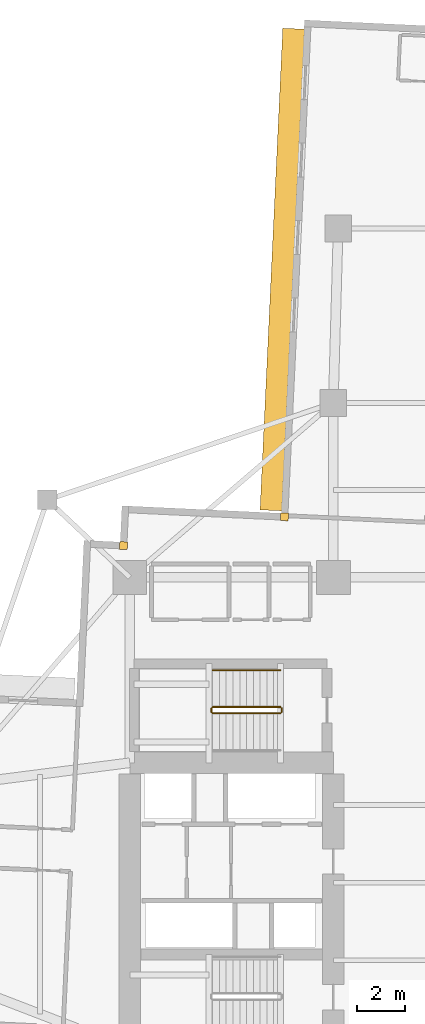
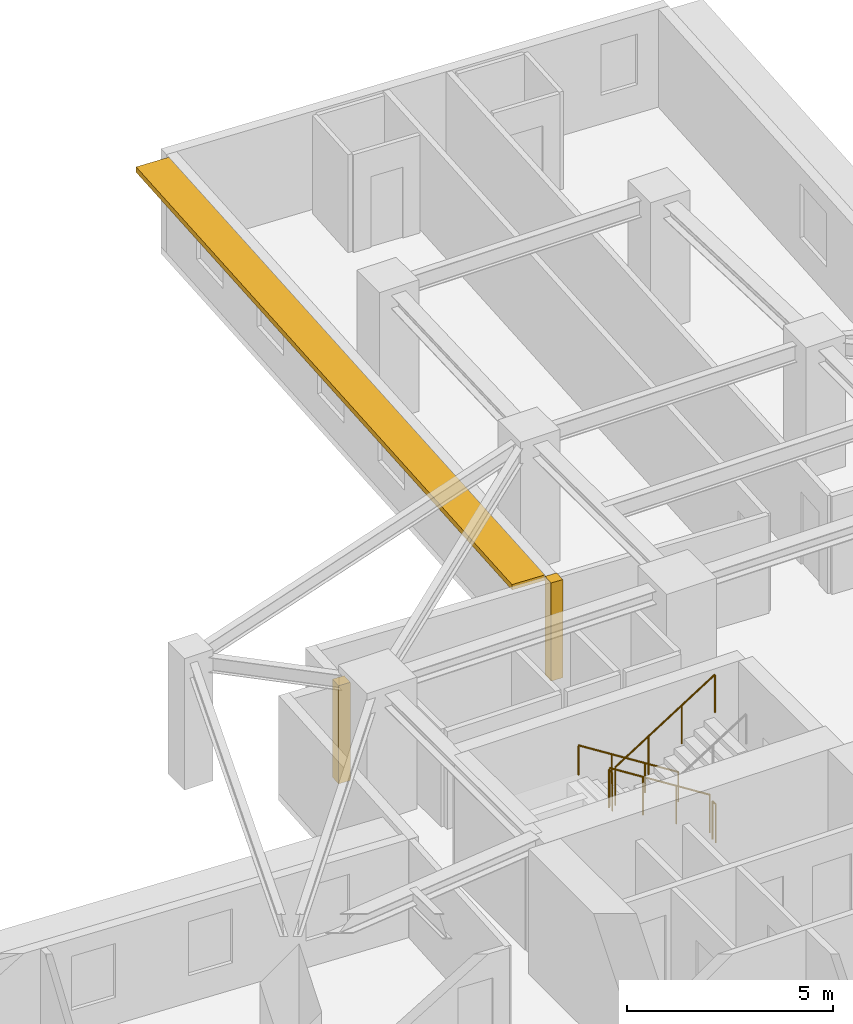
# One storey, part 13 of 14: 5 railings, 2 coverings, 1 shading device.
"""IFC4 building model written with IfcOpenShell, lengths in metres."""

from ifc_helpers import new_model, si_unit, direction, frame, origin, origin_2d, place, context, subcontext, project, spatial, rectangle, circle, extrude, material, layer, layer_set, type_object, element, save


model = new_model("IFC4")

# Units and contexts
model_context = context("Model", 3, precision=1e-05, world=origin(), true_north=direction((0.0, 1.0)))
body_context = subcontext(model_context, "Body", "Model", "MODEL_VIEW")
ifc_project = project(units=[si_unit("LENGTHUNIT", "METRE"), si_unit("AREAUNIT", "SQUARE_METRE"), si_unit("VOLUMEUNIT", "CUBIC_METRE"), si_unit("PLANEANGLEUNIT", "RADIAN"), si_unit("MASSUNIT", "GRAM", prefix="KILO")], contexts=[model_context])

# Site, building, storey
site_placement = place(None, origin())
site = spatial("IfcSite", under=ifc_project, at=site_placement, CompositionType="ELEMENT")
building_placement = place(site_placement, origin())
building = spatial("IfcBuilding", under=site, at=building_placement, Name="Qingluan Cross Belvedere", CompositionType="ELEMENT")
storey_placement = place(building_placement, frame((0.0, 0.0, 75.60009765625)))
storey = spatial("IfcBuildingStorey", under=building, at=storey_placement, Name="L19", CompositionType="ELEMENT", Elevation=75.60009765625)

# Coverings
ifc_material_1 = material(Name="Precast concrete C45", Category="concrete")
ifc_layer_1 = layer(ifc_material_1, 0.1201171875, Name="ConcreteSpandrelCladding_120")
ifc_layer_set_1 = layer_set([ifc_layer_1], Name="Precast concrete C45")
covering_type = type_object("IfcCoveringType", Name="ConcreteSpandrelCladding_120", PredefinedType="CLADDING", material=ifc_layer_set_1)
for number, where, z_axis, x_axis, name in (
    (1, (-12.65869140625, 13.911865234375, 0.0), (0.0, 0.0, 1.0), (0.998889874962, -0.04710645071, 0.0), "Corner closure L19-NW1"),
    (2, (-6.015380859375, 15.10009765625, 0.0), (0.0, 0.0, 1.0), (0.998889874962, -0.04710645071, 0.0), "Corner closure L19-NW2"),
):
    element("IfcCovering", number, at=place(storey_placement, frame(where, z_axis=z_axis, x_axis=x_axis)), inside=storey, type_object=covering_type, Name=name, PredefinedType="CLADDING", context=body_context, shape_type="SweptSolid", body=[
        extrude(rectangle(XDim=0.320068359375, YDim=0.320068359375, at=origin_2d()), origin(), (0.0, 0.0, 1.0), 2.909912109375),
    ])

# Shading device
ifc_material_2 = material(Name="Precast concrete C45", Category="concrete")
ifc_layer_2 = layer(ifc_material_2, 0.159912109375, Name="ConcreteSunshadeBand_900")
ifc_layer_set_2 = layer_set([ifc_layer_2], Name="Precast concrete C45")
shading_device_type = type_object("IfcShadingDeviceType", Name="ConcreteSunshadeBand_900", PredefinedType="USERDEFINED", material=ifc_layer_set_2)
shading_device_placement = place(storey_placement, frame((-6.104736328125, 25.3056640625, 2.72998046875), z_axis=(0.0, 0.0, 1.0), x_axis=(-0.04710941444, -0.998889735192, 0.0)))
element("IfcShadingDevice", 3, at=shading_device_placement, inside=storey, type_object=shading_device_type, Name="Concrete SUNSHADE L19-NB", ObjectType="SUNSHADE", PredefinedType="USERDEFINED", context=body_context, shape_type="SweptSolid", body=[
    extrude(rectangle(XDim=19.89990234375, YDim=0.89990234375, at=origin_2d()), origin(), (0.0, 0.0, 1.0), 0.159912109375),
])

# Railings
ifc_material_3 = material(Name="Brushed stainless steel tubular handrail", Category="steel")
railing_type_1 = type_object("IfcRailingType", Name="StairPitchHandrail_900", PredefinedType="HANDRAIL", material=ifc_material_3)
railing_1_placement = place(storey_placement, frame((-6.179931640625, 8.77001953125, 0.17724609375)))
element("IfcRailing", 4, at=railing_1_placement, inside=storey, type_object=railing_type_1, Name="L19 ST3 stair handrail 1", PredefinedType="HANDRAIL", context=body_context, shape_type="SweptSolid", body=[
    extrude(circle(Radius=0.02392578125, at=origin_2d()), frame((0.0, 0.0, 0.8759765625), z_axis=(-0.844908973607, 0.0, 0.534910110503), x_axis=(0.0, -1.0, 0.0)), (0.0, 0.0, 1.0), 3.31396484375),
    extrude(circle(Radius=0.02099609375, at=origin_2d()), origin(), (0.0, 0.0, 1.0), 0.851806640625),
    extrude(circle(Radius=0.02099609375, at=origin_2d()), frame((-0.933349609375, 0.0, 0.5908203125)), (0.0, 0.0, 1.0), 0.851806640625),
    extrude(circle(Radius=0.02099609375, at=origin_2d()), frame((-1.86669921875, 0.0, 1.181884765625)), (0.0, 0.0, 1.0), 0.851806640625),
    extrude(circle(Radius=0.02099609375, at=origin_2d()), frame((-2.800048828125, 0.0, 1.772705078125)), (0.0, 0.0, 1.0), 0.851806640625),
])
ifc_material_4 = material(Name="Painted steel stair well guard", Category="steel")
railing_type_2 = type_object("IfcRailingType", Name="StairWellGuard_1150", PredefinedType="BALUSTRADE", material=ifc_material_4)
railing_2_placement = place(storey_placement, frame((-6.179931640625, 7.25, 0.17724609375)))
element("IfcRailing", 5, at=railing_2_placement, inside=storey, type_object=railing_type_2, Name="L19 ST3 stair guard 1", PredefinedType="BALUSTRADE", context=body_context, shape_type="SweptSolid", body=[
    extrude(circle(Radius=0.02392578125, at=origin_2d()), frame((0.0, 0.0, 1.1259765625), z_axis=(-0.844908973607, 0.0, 0.534910110503), x_axis=(0.0, -1.0, 0.0)), (0.0, 0.0, 1.0), 3.31396484375),
    extrude(circle(Radius=0.02099609375, at=origin_2d()), origin(), (0.0, 0.0, 1.0), 1.101806640625),
    extrude(circle(Radius=0.02099609375, at=origin_2d()), frame((-0.933349609375, 0.0, 0.5908203125)), (0.0, 0.0, 1.0), 1.101806640625),
    extrude(circle(Radius=0.02099609375, at=origin_2d()), frame((-1.86669921875, 0.0, 1.181884765625)), (0.0, 0.0, 1.0), 1.101806640625),
    extrude(circle(Radius=0.02099609375, at=origin_2d()), frame((-2.800048828125, 0.0, 1.772705078125)), (0.0, 0.0, 1.0), 1.101806640625),
])
railing_3_placement = place(storey_placement, frame((-9.030029296875, 7.199951171875, 1.949951171875)))
element("IfcRailing", 6, at=railing_3_placement, inside=storey, type_object=railing_type_2, Name="L19 ST3 stair guard 2", PredefinedType="BALUSTRADE", context=body_context, shape_type="SweptSolid", body=[
    extrude(circle(Radius=0.02392578125, at=origin_2d()), frame((0.0, 0.0, 1.1259765625), z_axis=(0.0, -1.0, 0.0), x_axis=(1.0, 0.0, 0.0)), (0.0, 0.0, 1.0), 0.159912109375),
    extrude(circle(Radius=0.02099609375, at=origin_2d()), origin(), (0.0, 0.0, 1.0), 1.101806640625),
    extrude(circle(Radius=0.02099609375, at=origin_2d()), frame((0.0, -0.159912109375, 0.0)), (0.0, 0.0, 1.0), 1.101806640625),
])
railing_4_placement = place(storey_placement, frame((-8.97998046875, 6.989990234375, 2.127197265625)))
element("IfcRailing", 7, at=railing_4_placement, inside=storey, type_object=railing_type_2, Name="L19 ST3 stair guard 3", PredefinedType="BALUSTRADE", context=body_context, shape_type="SweptSolid", body=[
    extrude(circle(Radius=0.02392578125, at=origin_2d()), frame((0.0, 0.0, 1.1259765625), z_axis=(0.844908973607, 0.0, 0.534910110503), x_axis=(0.0, 1.0, 0.0)), (0.0, 0.0, 1.0), 3.31396484375),
    extrude(circle(Radius=0.02099609375, at=origin_2d()), origin(), (0.0, 0.0, 1.0), 1.101806640625),
    extrude(circle(Radius=0.02099609375, at=origin_2d()), frame((0.933349609375, 0.0, 0.5908203125)), (0.0, 0.0, 1.0), 1.101806640625),
    extrude(circle(Radius=0.02099609375, at=origin_2d()), frame((1.86669921875, 0.0, 1.181884765625)), (0.0, 0.0, 1.0), 1.101806640625),
    extrude(circle(Radius=0.02099609375, at=origin_2d()), frame((2.800048828125, 0.0, 1.772705078125)), (0.0, 0.0, 1.0), 1.101806640625),
])
railing_5_placement = place(storey_placement, frame((-6.1298828125, 7.199951171875, 0.0)))
element("IfcRailing", 8, at=railing_5_placement, inside=storey, type_object=railing_type_2, Name="L19 ST3 stair guard 4", PredefinedType="BALUSTRADE", context=body_context, shape_type="SweptSolid", body=[
    extrude(circle(Radius=0.02392578125, at=origin_2d()), frame((0.0, 0.0, 1.1259765625), z_axis=(0.0, -1.0, 0.0), x_axis=(1.0, 0.0, 0.0)), (0.0, 0.0, 1.0), 0.159912109375),
    extrude(circle(Radius=0.02099609375, at=origin_2d()), origin(), (0.0, 0.0, 1.0), 1.101806640625),
    extrude(circle(Radius=0.02099609375, at=origin_2d()), frame((0.0, -0.159912109375, 0.0)), (0.0, 0.0, 1.0), 1.101806640625),
])

save(model, "model.ifc")
